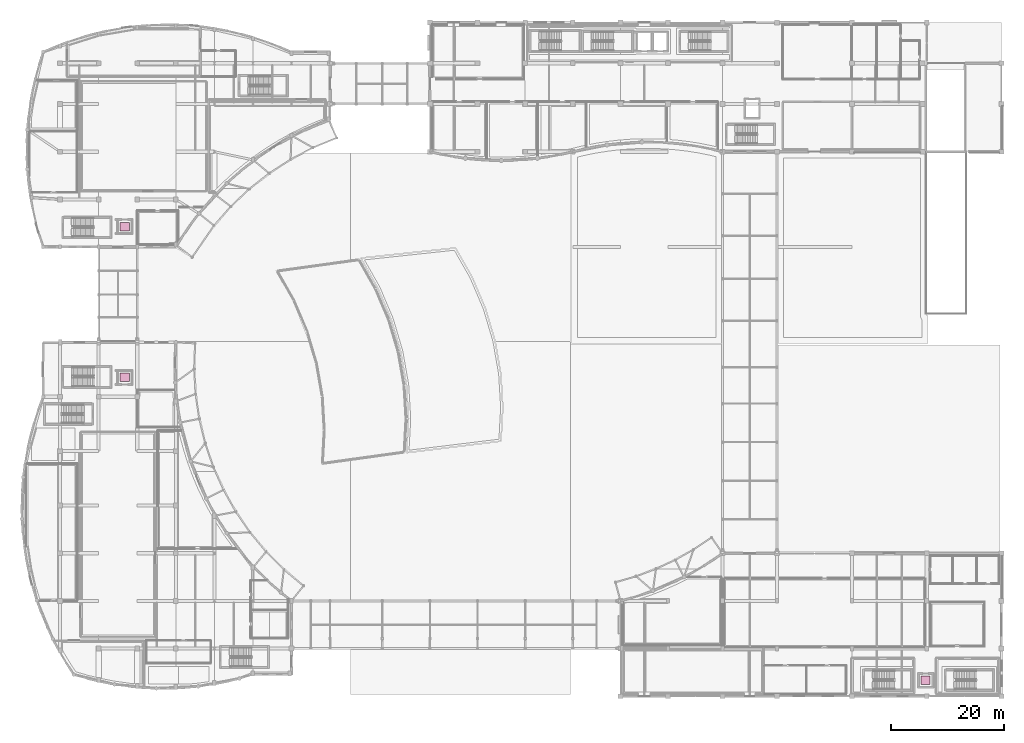
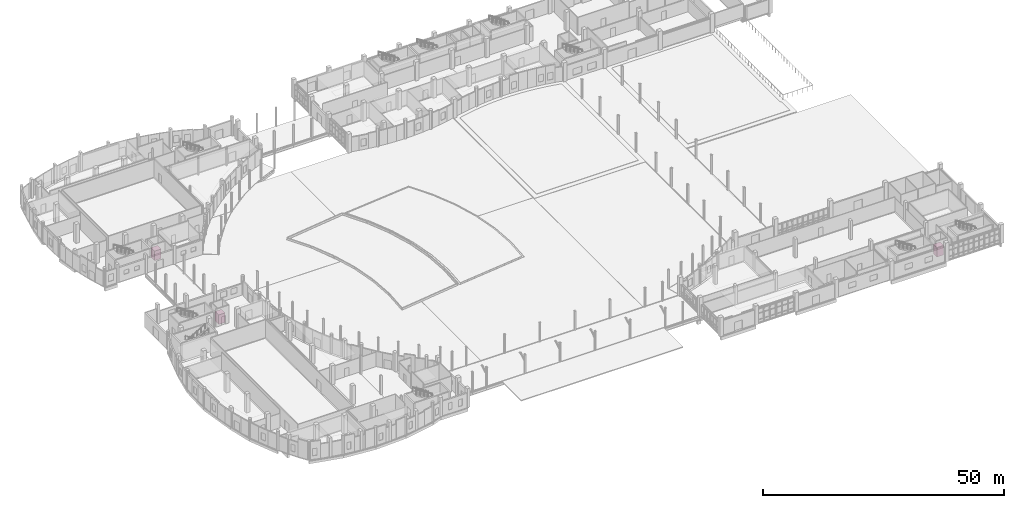
# One storey, part 97 of 97: 3 transport elements.
"""IFC4 building model written with IfcOpenShell, lengths in metres."""

from ifc_helpers import new_model, si_unit, direction, frame, origin, origin_2d, place, context, subcontext, project, spatial, rectangle, extrude, material, type_object, element, save


model = new_model("IFC4")

# Units and contexts
model_context = context("Model", 3, precision=1e-05, world=origin(), true_north=direction((0.0, 1.0)))
body_context = subcontext(model_context, "Body", "Model", "MODEL_VIEW")
ifc_project = project(units=[si_unit("LENGTHUNIT", "METRE"), si_unit("AREAUNIT", "SQUARE_METRE"), si_unit("VOLUMEUNIT", "CUBIC_METRE"), si_unit("PLANEANGLEUNIT", "RADIAN"), si_unit("MASSUNIT", "GRAM", prefix="KILO")], contexts=[model_context])

# Site, building, storey
site_placement = place(None, origin())
site = spatial("IfcSite", under=ifc_project, at=site_placement, CompositionType="ELEMENT")
building_placement = place(site_placement, origin())
building = spatial("IfcBuilding", under=site, at=building_placement, Name="Kisaragi Civic Commons", CompositionType="ELEMENT")
storey_placement = place(building_placement, origin())
storey = spatial("IfcBuildingStorey", under=building, at=storey_placement, Name="L00", CompositionType="ELEMENT", Elevation=0.0)

# Transport elements
ifc_material = material(Name="Brushed stainless steel barrier-free elevator cab", Category="steel")
transport_element_type = type_object("IfcTransportElementType", Name="LFT-1150", PredefinedType="ELEVATOR", material=ifc_material)
for number, where, z_axis, x_axis, name in (
    (1, (18.199951171875, 56.199951171875, 0.0), (0.0, 0.0, 1.0), (1.0, 0.0, 0.0), "Passenger elevator EL-M1"),
    (2, (18.199951171875, 82.800048828125, 0.0), (0.0, 0.0, 1.0), (1.0, 0.0, 0.0), "Passenger elevator EL-S1"),
    (3, (159.39990234375, 2.800048828125, 0.0), (0.0, 0.0, 1.0), (1.0, 0.0, 0.0), "Passenger elevator EL-D1"),
):
    element("IfcTransportElement", number, at=place(storey_placement, frame(where, z_axis=z_axis, x_axis=x_axis)), inside=storey, type_object=transport_element_type, Name=name, PredefinedType="ELEVATOR", context=body_context, shape_type="SweptSolid", body=[
        extrude(rectangle(XDim=1.60009765625, YDim=1.5, at=origin_2d()), origin(), (0.0, 0.0, 1.0), 2.39990234375),
    ])

save(model, "model.ifc")
